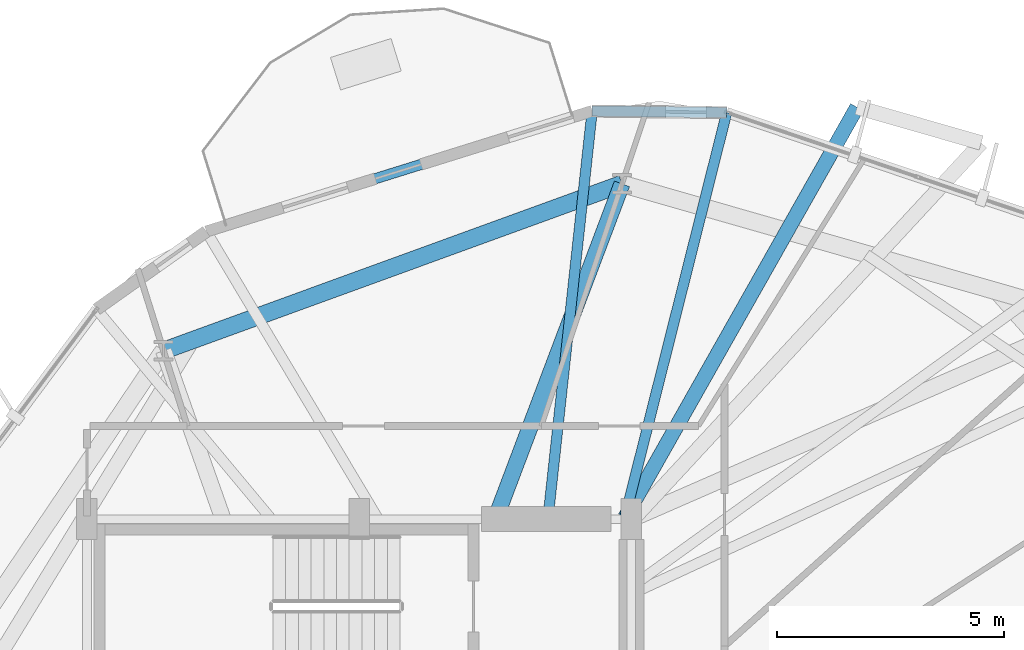
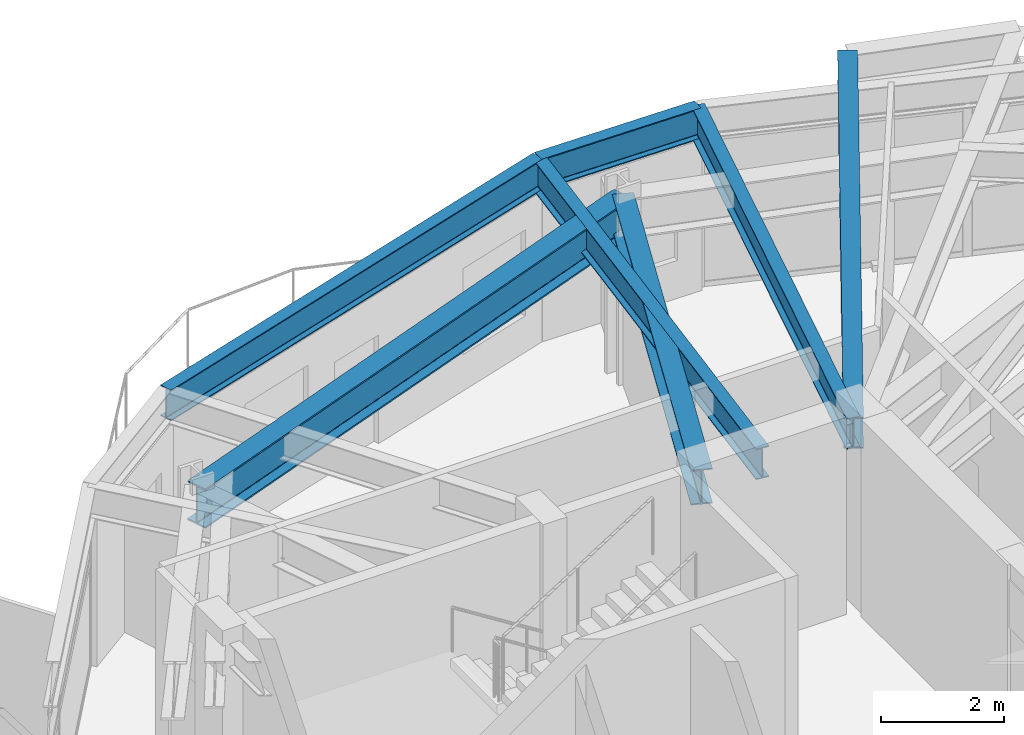
# One storey, part 18 of 27: 7 beams.
"""IFC4 building model written with IfcOpenShell, lengths in metres."""

import ifcopenshell
import ifcopenshell.guid

model = None  # the IFC model being written
_history = None  # IfcOwnerHistory: only IFC2X3 demands one
_inside = {}  # id of a spatial element -> (the spatial element, [elements in it])
_under = {}  # id of a project, library or spatial element -> (it, [spatial elements below it])
_declared = {}  # id of a project -> (the project, [libraries it declares])
_typed = {}  # id of a type object -> (the type object, [elements of that type])
_made_of = {}  # id of a material, layer set ... -> (it, [elements and type objects made of it])


def new_model(schema):
    """Start an empty IFC model of exactly this schema.

    Asked for "IFC4X3", IfcOpenShell would pick the latest addendum, in which some entities
    have other attributes; the version numbers below select the first issue.
    IFC2X3 requires an IfcOwnerHistory on every rooted entity: one is made here for all.
    """
    global model, _history
    if schema == "IFC4X3":
        model = ifcopenshell.file(schema_version=(4, 3, 0, 0))
    else:
        model = ifcopenshell.file(schema=schema)
    _inside.clear()
    _under.clear()
    _declared.clear()
    _typed.clear()
    _made_of.clear()
    _history = None
    if model.schema == "IFC2X3":
        org = make("IfcOrganization", Name="unknown")
        user = make(
            "IfcPersonAndOrganization",
            ThePerson=make("IfcPerson", FamilyName="unknown"),
            TheOrganization=org,
        )
        app = make(
            "IfcApplication",
            ApplicationDeveloper=org,
            Version="unknown",
            ApplicationFullName="unknown",
            ApplicationIdentifier="unknown",
        )
        _history = make(
            "IfcOwnerHistory",
            OwningUser=user,
            OwningApplication=app,
            ChangeAction="ADDED",
            CreationDate=0,
        )
    return model


def make(cls, **values):
    """One entity of the class cls with the attributes given. An attribute that is None is left unset."""
    return model.create_entity(
        cls, **{name: value for name, value in values.items() if value is not None}
    )


def rooted(cls, **values):
    """An entity with a GlobalId (a new one), such as an element, a storey or a relation."""
    return make(cls, GlobalId=ifcopenshell.guid.new(), OwnerHistory=_history, **values)


def si_unit(unit_type, name, prefix=None):
    """IfcSIUnit, for example si_unit("LENGTHUNIT", "METRE", prefix="MILLI")."""
    return make("IfcSIUnit", UnitType=unit_type, Prefix=prefix, Name=name)


def assignment(units):
    """IfcUnitAssignment: the units of a project."""
    return None if units is None else make("IfcUnitAssignment", Units=units)


def point(xyz):
    """IfcCartesianPoint."""
    return None if xyz is None else make("IfcCartesianPoint", Coordinates=xyz)


def direction(xyz):
    """IfcDirection."""
    return None if xyz is None else make("IfcDirection", DirectionRatios=xyz)


def frame(location, z_axis=None, x_axis=None):
    """IfcAxis2Placement3D, a coordinate frame: its origin and axes. An axis left out is left unset."""
    return make(
        "IfcAxis2Placement3D",
        Location=point(location),
        Axis=direction(z_axis),
        RefDirection=direction(x_axis),
    )


def frame_2d(location, x_axis=None):
    """IfcAxis2Placement2D, a coordinate frame in the plane: its origin and x axis."""
    return make(
        "IfcAxis2Placement2D", Location=point(location), RefDirection=direction(x_axis)
    )


def origin():
    """The frame at (0, 0, 0) with its axes left unset."""
    return frame((0.0, 0.0, 0.0))


def origin_2d():
    """The frame at (0, 0) in the plane with its x axis left unset."""
    return frame_2d((0.0, 0.0))


def place(relative_to, where):
    """IfcLocalPlacement: puts the frame where relative to a parent placement (None: the world)."""
    return make(
        "IfcLocalPlacement", PlacementRelTo=relative_to, RelativePlacement=where
    )


def context(
    kind, dimensions, precision=None, world=None, true_north=None, identifier=None
):
    """IfcGeometricRepresentationContext, for example the 3D "Model" context."""
    return make(
        "IfcGeometricRepresentationContext",
        ContextIdentifier=identifier,
        ContextType=kind,
        CoordinateSpaceDimension=dimensions,
        Precision=precision,
        WorldCoordinateSystem=world,
        TrueNorth=true_north,
    )


def subcontext(parent, identifier, kind, view, scale=None):
    """IfcGeometricRepresentationSubContext, for example "Body" below "Model"."""
    return make(
        "IfcGeometricRepresentationSubContext",
        ContextIdentifier=identifier,
        ContextType=kind,
        ParentContext=parent,
        TargetScale=scale,
        TargetView=view,
    )


def project(units=None, contexts=None):
    """IfcProject with its units and contexts."""
    return rooted(
        "IfcProject",
        Name="project",
        RepresentationContexts=contexts,
        UnitsInContext=assignment(units),
    )


def spatial(cls, under=None, at=None, **own):
    """A site, building, storey or space (cls), placed at a placement, below another one or the project."""
    s = rooted(cls, ObjectPlacement=at, **own)
    if under is not None:
        _under.setdefault(under.id(), (under, []))[1].append(s)
    return s


def profile(cls, at=None, kind="AREA", **sizes):
    """A parametric profile (cls). Its sizes go by their IFC names, for example OverallWidth=200.0."""
    return make(cls, ProfileType=kind, Position=at, **sizes)


def i_section(**sizes):
    """IfcIShapeProfileDef."""
    return profile("IfcIShapeProfileDef", **sizes)


def extrude(swept, where, along, depth):
    """IfcExtrudedAreaSolid: the profile swept, set in the frame where, extruded along a direction by depth."""
    return make(
        "IfcExtrudedAreaSolid",
        SweptArea=swept,
        Position=where,
        ExtrudedDirection=direction(along),
        Depth=depth,
    )


def shape(context_of_items, identifier, shape_type, items):
    """IfcShapeRepresentation: the items that make up one representation, for example the "Body"."""
    return make(
        "IfcShapeRepresentation",
        ContextOfItems=context_of_items,
        RepresentationIdentifier=identifier,
        RepresentationType=shape_type,
        Items=items,
    )


def material(Name=None, Category=None):
    """IfcMaterial."""
    return make("IfcMaterial", Name=Name, Category=Category)


def material_profile(
    of_material, cross_section, Name=None, Category=None, Priority=None
):
    """IfcMaterialProfile: a cross section and its material."""
    return make(
        "IfcMaterialProfile",
        Name=Name,
        Material=of_material,
        Profile=cross_section,
        Priority=Priority,
        Category=Category,
    )


def profile_set(profiles, Name=None, composite=None):
    """IfcMaterialProfileSet."""
    return make(
        "IfcMaterialProfileSet",
        Name=Name,
        MaterialProfiles=profiles,
        CompositeProfile=composite,
    )


def made_of(thing, what):
    """Note that an element or type object is made of a material, layer set ...; save() writes the relation."""
    if what is not None:
        _made_of.setdefault(what.id(), (what, []))[1].append(thing)
    return thing


def type_object(cls, material=None, **own):
    """A type object (cls), such as IfcWallType, which elements share."""
    return made_of(rooted(cls, **own), material)


def element(
    cls,
    number,
    at=None,
    inside=None,
    cuts=None,
    type_object=None,
    material=None,
    context=None,
    identifier="Body",
    shape_type=None,
    held_by="IfcProductDefinitionShape",
    body=None,
    shapes=None,
    **own,
):
    """One element of the class cls, such as IfcWall. Its Tag is "e" and its number.

    at: its placement. inside: the storey or other place that contains it. cuts: it is an
    opening in that element (IfcRelVoidsElement). A single representation is given by context,
    identifier, shape_type and body (its items); several are given by shapes. held_by: the class
    of the entity that holds the representations. save() writes the other relations.
    """
    e = rooted(cls, Tag="e%d" % number, ObjectPlacement=at, **own)
    if body is not None:
        shapes = [shape(context, identifier, shape_type, body)]
    if shapes is not None:
        e.Representation = make(held_by, Representations=shapes)
    if inside is not None:
        _inside.setdefault(inside.id(), (inside, []))[1].append(e)
    if cuts is not None:
        rooted(
            "IfcRelVoidsElement", RelatingBuildingElement=cuts, RelatedOpeningElement=e
        )
    if type_object is not None:
        _typed.setdefault(type_object.id(), (type_object, []))[1].append(e)
    return made_of(e, material)


def aggregate(whole, parts):
    """IfcRelAggregates: a whole, such as a stair, and the parts it consists of."""
    return rooted("IfcRelAggregates", RelatingObject=whole, RelatedObjects=parts)


def save(model, path):
    """Write the relations noted so far, then the file.

    IfcRelAggregates (storeys below a building ...), IfcRelContainedInSpatialStructure (elements
    in a storey), IfcRelDefinesByType, IfcRelAssociatesMaterial and IfcRelDeclares: one each for
    every whole, place, type object, material and project.
    """
    for whole, parts in _under.values():
        aggregate(whole, parts)
    for where, things in _inside.values():
        rooted(
            "IfcRelContainedInSpatialStructure",
            RelatedElements=things,
            RelatingStructure=where,
        )
    for kind, things in _typed.values():
        rooted("IfcRelDefinesByType", RelatedObjects=things, RelatingType=kind)
    for what, things in _made_of.values():
        rooted("IfcRelAssociatesMaterial", RelatedObjects=things, RelatingMaterial=what)
    for by, libraries in _declared.values():
        rooted("IfcRelDeclares", RelatingContext=by, RelatedDefinitions=libraries)
    model.write(path)


model = new_model("IFC4")

# Units and contexts
model_context = context("Model", 3, precision=1e-05, world=origin(), true_north=direction((0.0, 1.0)))
body_context = subcontext(model_context, "Body", "Model", "MODEL_VIEW")
ifc_project = project(units=[si_unit("LENGTHUNIT", "METRE"), si_unit("AREAUNIT", "SQUARE_METRE"), si_unit("VOLUMEUNIT", "CUBIC_METRE"), si_unit("PLANEANGLEUNIT", "RADIAN"), si_unit("MASSUNIT", "GRAM", prefix="KILO")], contexts=[model_context])

# Site, building, storey
site_placement = place(None, origin())
site = spatial("IfcSite", under=ifc_project, at=site_placement, CompositionType="ELEMENT")
building_placement = place(site_placement, origin())
building = spatial("IfcBuilding", under=site, at=building_placement, Name="Soratama Intermodal Tower", CompositionType="ELEMENT")
storey_placement = place(building_placement, frame((0.0, 0.0, 95.199951171875)))
storey = spatial("IfcBuildingStorey", under=building, at=storey_placement, Name="L22", CompositionType="ELEMENT", Elevation=95.199951171875)

# Beams
ifc_material_1 = material(Name="Structural steel ASTM A992 Grade 50", Category="steel")
ifc_material_profile_1 = material_profile(ifc_material_1, i_section(OverallWidth=0.324951171875, OverallDepth=0.615966796875, WebThickness=0.013916015625, FlangeThickness=0.021484375, FilletRadius=0.013916015625, at=origin_2d()), Name="W24X117")
ifc_profile_set_1 = profile_set([ifc_material_profile_1], Name="Structural steel ASTM A992 Grade 50")
beam_type_1 = type_object("IfcBeamType", Name="BM-CANT-W24X117", PredefinedType="BEAM", material=ifc_profile_set_1)
beam_1_placement = place(storey_placement, frame((44.4609375, 35.034912109375, 3.2919921875), z_axis=(0.492157163666, 0.870506361982, 0.0), x_axis=(-0.870506361982, 0.492157163666, 0.0)))
element("IfcBeam", 1, at=beam_1_placement, inside=storey, type_object=beam_type_1, Name="BM-L22-CANT-2-2", PredefinedType="BEAM", context=body_context, shape_type="SweptSolid", body=[
    extrude(i_section(OverallWidth=0.324951171875, OverallDepth=0.615966796875, WebThickness=0.013916015625, FlangeThickness=0.021484375, FilletRadius=0.013916015625, at=origin_2d()), origin(), (0.0, 0.0, 1.0), 10.386962890625),
])
ifc_material_2 = material(Name="Structural steel ASTM A992 Grade 50", Category="steel")
ifc_material_profile_2 = material_profile(ifc_material_2, i_section(OverallWidth=0.35498046875, OverallDepth=0.695068359375, WebThickness=0.015380859375, FlangeThickness=0.02490234375, FilletRadius=0.01611328125, at=origin_2d()), Name="W27X146")
ifc_profile_set_2 = profile_set([ifc_material_profile_2], Name="Structural steel ASTM A992 Grade 50")
beam_type_2 = type_object("IfcBeamType", Name="BM-RING-W27X146", PredefinedType="BEAM", material=ifc_profile_set_2)
beam_2_placement = place(storey_placement, frame((41.60009765625, 35.0, 3.25244140625), z_axis=(0.353577871145, 0.935405093549, 0.0), x_axis=(-0.935405093549, 0.353577871145, 0.0)))
element("IfcBeam", 2, at=beam_2_placement, inside=storey, type_object=beam_type_2, Name="BM-L22-RAD-03", PredefinedType="BEAM", context=body_context, shape_type="SweptSolid", body=[
    extrude(i_section(OverallWidth=0.35498046875, OverallDepth=0.695068359375, WebThickness=0.015380859375, FlangeThickness=0.02490234375, FilletRadius=0.01611328125, at=origin_2d()), origin(), (0.0, 0.0, 1.0), 7.899169921875),
])
ifc_material_3 = material(Name="Structural steel ASTM A992 Grade 50", Category="steel")
ifc_material_profile_3 = material_profile(ifc_material_3, i_section(OverallWidth=0.382080078125, OverallDepth=0.779052734375, WebThickness=0.01806640625, FlangeThickness=0.030029296875, FilletRadius=0.01806640625, at=origin_2d()), Name="W30X191")
ifc_profile_set_3 = profile_set([ifc_material_profile_3], Name="Structural steel ASTM A992 Grade 50")
beam_type_3 = type_object("IfcBeamType", Name="BM-RING-W30X191", PredefinedType="BEAM", material=ifc_profile_set_3)
beam_3_placement = place(storey_placement, frame((44.39306640625, 42.388916015625, 3.21044921875), z_axis=(-0.939690636038, -0.342025596326, 0.0), x_axis=(0.342025596326, -0.939690636038, 0.0)))
element("IfcBeam", 3, at=beam_3_placement, inside=storey, type_object=beam_type_3, Name="BM-L22-RING-03", PredefinedType="BEAM", context=body_context, shape_type="SweptSolid", body=[
    extrude(i_section(OverallWidth=0.382080078125, OverallDepth=0.779052734375, WebThickness=0.01806640625, FlangeThickness=0.030029296875, FilletRadius=0.01806640625, at=origin_2d()), origin(), (0.0, 0.0, 1.0), 10.75341796875),
])
ifc_material_4 = material(Name="Structural steel ASTM A992 Grade 50", Category="steel")
ifc_material_profile_4 = material_profile(ifc_material_4, i_section(OverallWidth=0.22900390625, OverallDepth=0.612060546875, WebThickness=0.011962890625, FlangeThickness=0.01953125, FilletRadius=0.012939453125, at=origin_2d()), Name="W24X84")
ifc_profile_set_4 = profile_set([ifc_material_profile_4], Name="Structural steel ASTM A992 Grade 50")
beam_type_4 = type_object("IfcBeamType", Name="BM-SPN-W24X84", PredefinedType="SPANDREL", material=ifc_profile_set_4)
beam_4_placement = place(storey_placement, frame((46.701904296875, 43.9609375, 3.2939453125), z_axis=(-0.999933642911, 0.011519972845, 0.0), x_axis=(-0.011519972845, -0.999933642911, 0.0)))
element("IfcBeam", 4, at=beam_4_placement, inside=storey, type_object=beam_type_4, Name="BS-L22-CRN02", PredefinedType="SPANDREL", context=body_context, shape_type="SweptSolid", body=[
    extrude(i_section(OverallWidth=0.22900390625, OverallDepth=0.612060546875, WebThickness=0.011962890625, FlangeThickness=0.01953125, FilletRadius=0.012939453125, at=origin_2d()), origin(), (0.0, 0.0, 1.0), 2.967041015625),
])
beam_5_placement = place(storey_placement, frame((43.735107421875, 43.9951171875, 3.2939453125), z_axis=(-0.954550662651, -0.298048708155, 0.0), x_axis=(0.298048708155, -0.954550662651, 0.0)))
element("IfcBeam", 5, at=beam_5_placement, inside=storey, type_object=beam_type_4, Name="BS-L22-F03", PredefinedType="SPANDREL", context=body_context, shape_type="SweptSolid", body=[
    extrude(i_section(OverallWidth=0.22900390625, OverallDepth=0.612060546875, WebThickness=0.011962890625, FlangeThickness=0.01953125, FilletRadius=0.012939453125, at=origin_2d()), origin(), (0.0, 0.0, 1.0), 8.907958984375),
])
ifc_material_5 = material(Name="Structural steel ASTM A992 Grade 50", Category="steel")
ifc_material_profile_5 = material_profile(ifc_material_5, i_section(OverallWidth=0.22900390625, OverallDepth=0.612060546875, WebThickness=0.011962890625, FlangeThickness=0.01953125, FilletRadius=0.012939453125, at=origin_2d()), Name="W24X84")
ifc_profile_set_5 = profile_set([ifc_material_profile_5], Name="Structural steel ASTM A992 Grade 50")
beam_type_5 = type_object("IfcBeamType", Name="BM-TIE-W24X84", PredefinedType="BEAM", material=ifc_profile_set_5)
beam_6_placement = place(storey_placement, frame((44.4560546875, 35.0390625, 3.2939453125), z_axis=(0.244108761157, 0.969747860388, 0.0), x_axis=(-0.969747860388, 0.244108761157, 0.0)))
element("IfcBeam", 6, at=beam_6_placement, inside=storey, type_object=beam_type_5, Name="BM-L22-TIE1-02", PredefinedType="BEAM", context=body_context, shape_type="SweptSolid", body=[
    extrude(i_section(OverallWidth=0.22900390625, OverallDepth=0.612060546875, WebThickness=0.011962890625, FlangeThickness=0.01953125, FilletRadius=0.012939453125, at=origin_2d()), origin(), (0.0, 0.0, 1.0), 9.2001953125),
])
beam_7_placement = place(storey_placement, frame((42.763916015625, 35.0400390625, 3.2939453125), z_axis=(0.1078192557, 0.994170512588, 0.0), x_axis=(-0.994170512588, 0.1078192557, 0.0)))
element("IfcBeam", 7, at=beam_7_placement, inside=storey, type_object=beam_type_5, Name="BM-L22-TIE0-03", PredefinedType="BEAM", context=body_context, shape_type="SweptSolid", body=[
    extrude(i_section(OverallWidth=0.22900390625, OverallDepth=0.612060546875, WebThickness=0.011962890625, FlangeThickness=0.01953125, FilletRadius=0.012939453125, at=origin_2d()), origin(), (0.0, 0.0, 1.0), 9.007568359375),
])

save(model, "model.ifc")
